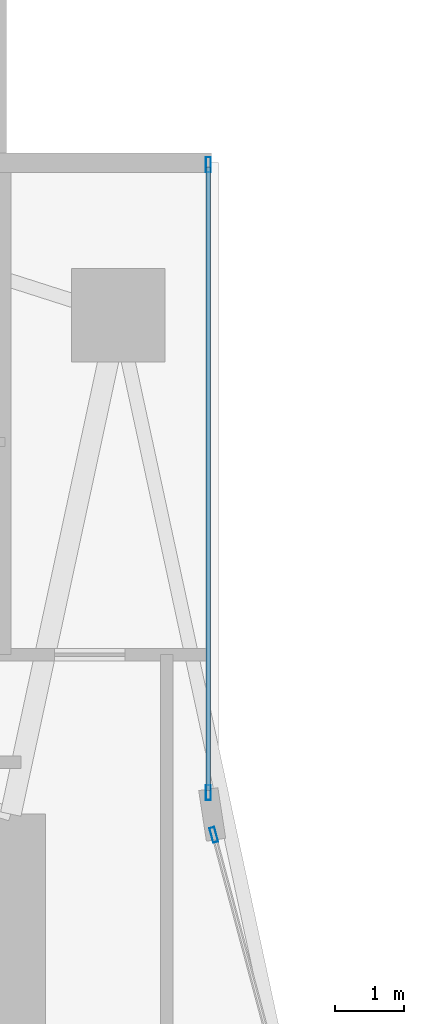
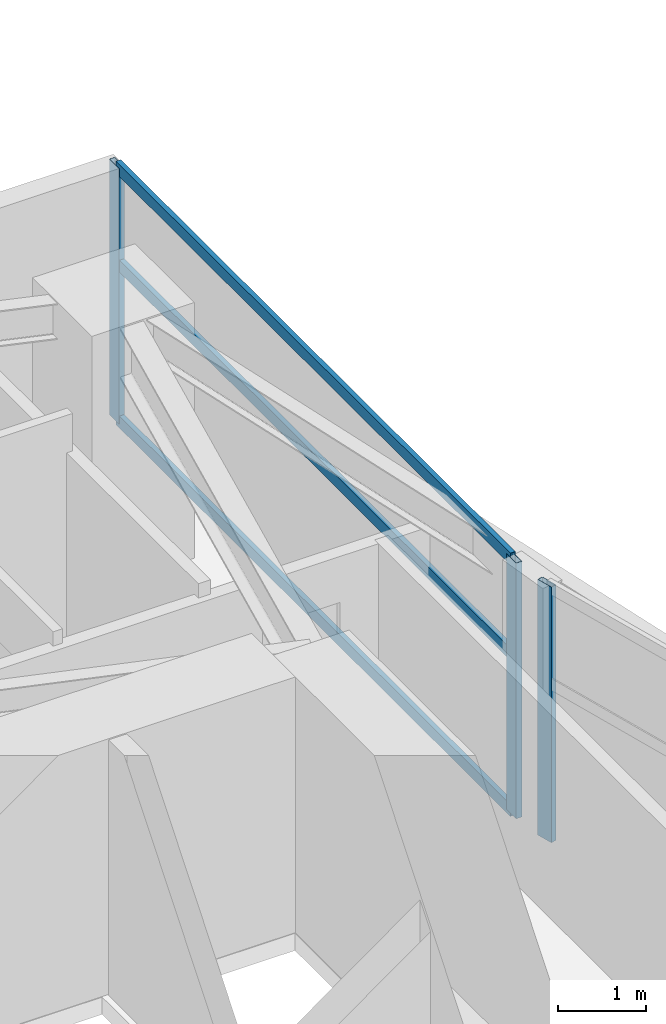
# One storey, part 18 of 29: 6 members, 2 elements without a shape of their own.
"""IFC4 building model written with IfcOpenShell, lengths in metres."""

from ifc_helpers import new_model, si_unit, direction, frame, origin, origin_2d, place, context, subcontext, project, spatial, hollow_rectangle, extrude, material, layer, layer_set, material_profile, profile_set, type_object, element, aggregate, save


model = new_model("IFC4")

# Units and contexts
model_context = context("Model", 3, precision=1e-05, world=origin(), true_north=direction((0.0, 1.0)))
body_context = subcontext(model_context, "Body", "Model", "MODEL_VIEW")
ifc_project = project(units=[si_unit("LENGTHUNIT", "METRE"), si_unit("AREAUNIT", "SQUARE_METRE"), si_unit("VOLUMEUNIT", "CUBIC_METRE"), si_unit("PLANEANGLEUNIT", "RADIAN"), si_unit("MASSUNIT", "GRAM", prefix="KILO")], contexts=[model_context])

# Site, building, storey
site_placement = place(None, origin())
site = spatial("IfcSite", under=ifc_project, at=site_placement, CompositionType="ELEMENT")
building_placement = place(site_placement, origin())
building = spatial("IfcBuilding", under=site, at=building_placement, Name="Calvorn Quay Hotel", CompositionType="ELEMENT")
storey_placement = place(building_placement, frame((0.0, 0.0, 62.199951171875)))
storey = spatial("IfcBuildingStorey", under=building, at=storey_placement, Name="L14", CompositionType="ELEMENT", Elevation=62.199951171875)

# Curtain wall, member
ifc_material_1 = material(Name="Pale Anodised Aluminium and Low-E Glass", Category="aluminium")
ifc_layer = layer(ifc_material_1, 0.219970703125)
ifc_layer_set = layer_set([ifc_layer], Name="CW-SYS-Z1")
curtain_wall_type = type_object("IfcCurtainWallType", Name="CW-SYS-Z1", PredefinedType="NOTDEFINED", material=ifc_layer_set)
curtain_wall_1_placement = place(storey_placement, origin())
curtain_wall_1 = element("IfcCurtainWall", 1, at=curtain_wall_1_placement, inside=storey, type_object=curtain_wall_type, Name="Inner Court Curtain Wall L14-IC1", PredefinedType="NOTDEFINED")
ifc_material_2 = material(Name="Pale Anodised Aluminium 6063-T6", Category="aluminium")
ifc_material_profile_1 = material_profile(ifc_material_2, hollow_rectangle(XDim=0.074951171875, YDim=0.219970703125, WallThickness=0.00439453125, at=origin_2d()), Name="ALU-M220x75x4.5")
ifc_profile_set_1 = profile_set([ifc_material_profile_1], Name="Pale Anodised Aluminium 6063-T6")
member_type_1 = type_object("IfcMemberType", Name="CW-SYS-Z1-MUL", PredefinedType="MULLION", material=ifc_profile_set_1)
member_1_placement = place(storey_placement, frame((17.9296875, 38.10107421875, 0.0), z_axis=(0.0, 0.0, 1.0), x_axis=(-0.96593652056, -0.25877913024, 0.0)))
member_1 = element("IfcMember", 2, at=member_1_placement, type_object=member_type_1, Name="CW-L14-IC1 mullion 2", PredefinedType="MULLION", context=body_context, shape_type="SweptSolid", body=[
    extrude(hollow_rectangle(XDim=0.074951171875, YDim=0.219970703125, WallThickness=0.00439453125, at=origin_2d()), origin(), (0.0, 0.0, 1.0), 3.56005859375),
])
aggregate(curtain_wall_1, [member_1])

# Curtain wall, members
curtain_wall_2_placement = place(storey_placement, origin())
curtain_wall_2 = element("IfcCurtainWall", 3, at=curtain_wall_2_placement, inside=storey, type_object=curtain_wall_type, Name="Inner Court Curtain Wall L14-IC2", PredefinedType="NOTDEFINED")
member_2_placement = place(storey_placement, frame((17.85009765625, 38.7099609375, 0.0), z_axis=(0.0, 0.0, 1.0), x_axis=(-1.0, 0.0, 0.0)))
member_2 = element("IfcMember", 4, at=member_2_placement, type_object=member_type_1, Name="CW-L14-IC2 mullion 1", PredefinedType="MULLION", context=body_context, shape_type="SweptSolid", body=[
    extrude(hollow_rectangle(XDim=0.074951171875, YDim=0.219970703125, WallThickness=0.00439453125, at=origin_2d()), origin(), (0.0, 0.0, 1.0), 3.56005859375),
])
member_3_placement = place(storey_placement, frame((17.85009765625, 47.77001953125, 0.0), z_axis=(0.0, 0.0, 1.0), x_axis=(-1.0, 0.0, 0.0)))
member_3 = element("IfcMember", 5, at=member_3_placement, type_object=member_type_1, Name="CW-L14-IC2 mullion 2", PredefinedType="MULLION", context=body_context, shape_type="SweptSolid", body=[
    extrude(hollow_rectangle(XDim=0.074951171875, YDim=0.219970703125, WallThickness=0.00439453125, at=origin_2d()), origin(), (0.0, 0.0, 1.0), 3.56005859375),
])
ifc_material_3 = material(Name="Pale Anodised Aluminium 6063-T6", Category="aluminium")
ifc_material_profile_2 = material_profile(ifc_material_3, hollow_rectangle(XDim=0.06494140625, YDim=0.1650390625, WallThickness=0.00341796875, at=origin_2d()), Name="ALU-T165x65x3.5")
ifc_profile_set_2 = profile_set([ifc_material_profile_2], Name="Pale Anodised Aluminium 6063-T6")
member_type_2 = type_object("IfcMemberType", Name="CW-SYS-Z1-TRN", PredefinedType="USERDEFINED", material=ifc_profile_set_2)
member_4_placement = place(storey_placement, frame((17.85009765625, 38.739990234375, 0.030029296875), z_axis=(0.0, 1.0, 0.0), x_axis=(-1.0, 0.0, 0.0)))
member_4 = element("IfcMember", 6, at=member_4_placement, type_object=member_type_2, Name="CW-L14-IC2 transom 1.1", ObjectType="TRANSOM", PredefinedType="USERDEFINED", context=body_context, shape_type="SweptSolid", body=[
    extrude(hollow_rectangle(XDim=0.06494140625, YDim=0.1650390625, WallThickness=0.00341796875, at=origin_2d()), origin(), (0.0, 0.0, 1.0), 9.0),
])
member_5_placement = place(storey_placement, frame((17.85009765625, 38.739990234375, 2.199951171875), z_axis=(0.0, 1.0, 0.0), x_axis=(-1.0, 0.0, 0.0)))
member_5 = element("IfcMember", 7, at=member_5_placement, type_object=member_type_2, Name="CW-L14-IC2 transom 1.2", ObjectType="TRANSOM", PredefinedType="USERDEFINED", context=body_context, shape_type="SweptSolid", body=[
    extrude(hollow_rectangle(XDim=0.06494140625, YDim=0.1650390625, WallThickness=0.00341796875, at=origin_2d()), origin(), (0.0, 0.0, 1.0), 9.0),
])
member_6_placement = place(storey_placement, frame((17.85009765625, 38.739990234375, 3.530029296875), z_axis=(0.0, 1.0, 0.0), x_axis=(-1.0, 0.0, 0.0)))
member_6 = element("IfcMember", 8, at=member_6_placement, type_object=member_type_2, Name="CW-L14-IC2 transom 1.3", ObjectType="TRANSOM", PredefinedType="USERDEFINED", context=body_context, shape_type="SweptSolid", body=[
    extrude(hollow_rectangle(XDim=0.06494140625, YDim=0.1650390625, WallThickness=0.00341796875, at=origin_2d()), origin(), (0.0, 0.0, 1.0), 9.0),
])
aggregate(curtain_wall_2, [member_2, member_3, member_4, member_5, member_6])

save(model, "model.ifc")
